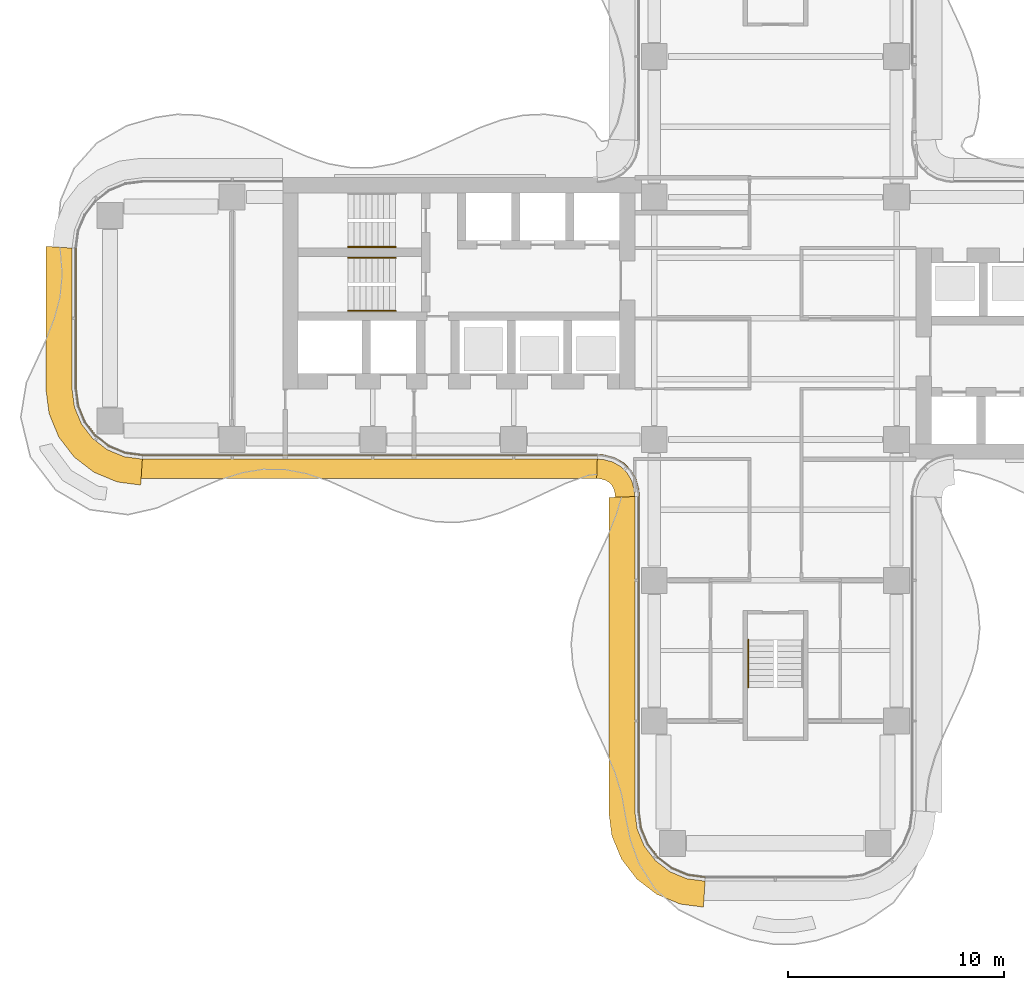
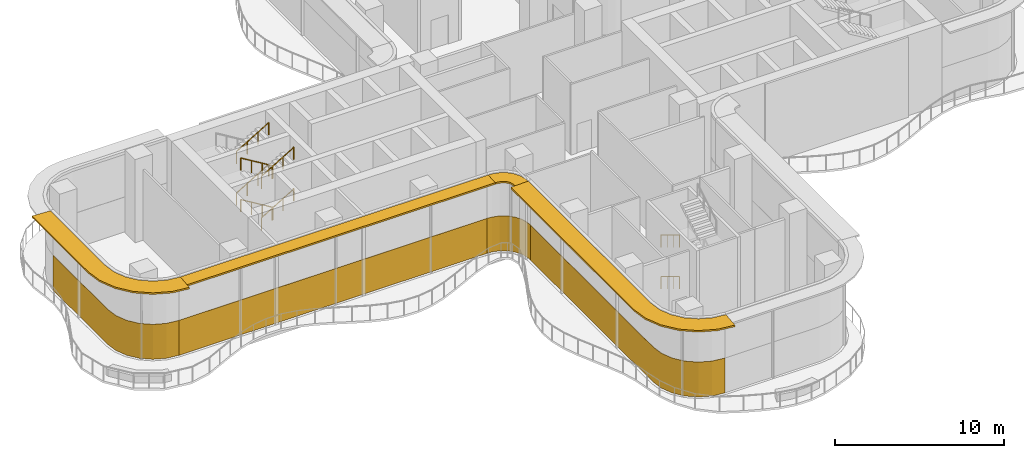
# One storey, part 16 of 19: 8 railings, 4 coverings, 4 shading devices, 4 elements without a shape of their own.
"""IFC4 building model written with IfcOpenShell, lengths in metres."""

from ifc_helpers import new_model, si_unit, direction, frame, origin, origin_2d, place, context, subcontext, project, spatial, polyline, circle, outline, extrude, source, transform, mapped, material, layer, layer_set, type_object, element, aggregate, save


model = new_model("IFC4")

# Units and contexts
model_context = context("Model", 3, precision=1e-05, world=origin(), true_north=direction((0.0, 1.0)))
body_context = subcontext(model_context, "Body", "Model", "MODEL_VIEW")
ifc_project = project(units=[si_unit("LENGTHUNIT", "METRE"), si_unit("AREAUNIT", "SQUARE_METRE"), si_unit("VOLUMEUNIT", "CUBIC_METRE"), si_unit("PLANEANGLEUNIT", "RADIAN"), si_unit("MASSUNIT", "GRAM", prefix="KILO")], contexts=[model_context])

# Site, building, storey
site_placement = place(None, origin())
site = spatial("IfcSite", under=ifc_project, at=site_placement, CompositionType="ELEMENT")
building_placement = place(site_placement, origin())
building = spatial("IfcBuilding", under=site, at=building_placement, Name="Trellis Farm Tower", CompositionType="ELEMENT")
storey_placement = place(building_placement, frame((0.0, 0.0, 156.0)))
storey = spatial("IfcBuildingStorey", under=building, at=storey_placement, Name="L33", CompositionType="ELEMENT", Elevation=156.0)

# Curtain wall, covering
ifc_material_1 = material(Name="Aluminium and glass curtain wall", Category="aluminium")
ifc_layer_1 = layer(ifc_material_1, 0.196044921875)
ifc_layer_set_1 = layer_set([ifc_layer_1], Name="LOUVRED GLASS CURTAIN WALL CW6")
curtain_wall_type = type_object("IfcCurtainWallType", Name="LOUVRED GLASS CURTAIN WALL CW6", PredefinedType="NOTDEFINED", material=ifc_layer_set_1)
placement_1 = place(storey_placement, origin())
curtain_wall_1 = element("IfcCurtainWall", 1, at=placement_1, inside=storey, type_object=curtain_wall_type, Name="CW6 001", PredefinedType="NOTDEFINED")
ifc_material_2 = material(Name="Anodised aluminium louvre", Category="aluminium")
ifc_layer_2 = layer(ifc_material_2, 0.050048828125)
ifc_layer_set_2 = layer_set([ifc_layer_2], Name="CW6 LOUVRE BANK 50")
covering_type = type_object("IfcCoveringType", Name="CW6 LOUVRE BANK 50", PredefinedType="USERDEFINED", material=ifc_layer_set_2)
covering_1 = element("IfcCovering", 2, at=placement_1, type_object=covering_type, Name="LV1 001", ObjectType="LOUVRE", PredefinedType="USERDEFINED", context=body_context, shape_type="SweptSolid", body=[
    extrude(outline(polyline([(-29.239501953125, -6.340087890625), (-8.22607421875, -6.340087890625), (-8.224609375, -6.2900390625), (-29.236328125, -6.2900390625), (-29.239501953125, -6.340087890625)])), origin(), (0.0, 0.0, 1.0), 2.52001953125),
])
aggregate(curtain_wall_1, [covering_1])

curtain_wall_2 = element("IfcCurtainWall", 3, at=placement_1, inside=storey, type_object=curtain_wall_type, Name="CW6 002", PredefinedType="NOTDEFINED")
covering_2 = element("IfcCovering", 4, at=placement_1, type_object=covering_type, Name="LV1 002", ObjectType="LOUVRE", PredefinedType="USERDEFINED", context=body_context, shape_type="SweptSolid", body=[
    extrude(outline(polyline([(-8.22607421875, -6.340087890625), (-8.00390625, -6.3544921875), (-7.88427734375, -6.370361328125), (-7.44677734375, -6.487548828125), (-7.046142578125, -6.718994140625), (-6.718994140625, -7.046142578125), (-6.487548828125, -7.44677734375), (-6.370361328125, -7.88427734375), (-6.3544921875, -8.00390625), (-6.340087890625, -8.22607421875), (-6.2900390625, -8.224609375), (-6.3046875, -7.9990234375), (-6.321044921875, -7.87451171875), (-6.44091796875, -7.427490234375), (-6.678955078125, -7.015380859375), (-7.015380859375, -6.678955078125), (-7.427490234375, -6.44091796875), (-7.87451171875, -6.321044921875), (-7.9990234375, -6.3046875), (-8.224609375, -6.2900390625), (-8.22607421875, -6.340087890625)])), origin(), (0.0, 0.0, 1.0), 2.52001953125),
])
aggregate(curtain_wall_2, [covering_2])

curtain_wall_3 = element("IfcCurtainWall", 5, at=placement_1, inside=storey, type_object=curtain_wall_type, Name="CW6 003", PredefinedType="NOTDEFINED")
covering_3 = element("IfcCovering", 6, at=placement_1, type_object=covering_type, Name="LV1 003", ObjectType="LOUVRE", PredefinedType="USERDEFINED", context=body_context, shape_type="SweptSolid", body=[
    extrude(outline(polyline([(-6.340087890625, -8.22607421875), (-6.340087890625, -22.739501953125), (-6.2333984375, -23.54931640625), (-5.9248046875, -24.294189453125), (-5.43408203125, -24.93408203125), (-4.794189453125, -25.4248046875), (-4.04931640625, -25.7333984375), (-3.239501953125, -25.840087890625), (-3.236328125, -25.7900390625), (-4.036376953125, -25.6845703125), (-4.76904296875, -25.381103515625), (-5.3984375, -24.8984375), (-5.881103515625, -24.26904296875), (-6.1845703125, -23.536376953125), (-6.2900390625, -22.736328125), (-6.2900390625, -8.224609375), (-6.340087890625, -8.22607421875)])), origin(), (0.0, 0.0, 1.0), 2.52001953125),
])
aggregate(curtain_wall_3, [covering_3])

curtain_wall_4 = element("IfcCurtainWall", 7, at=placement_1, inside=storey, type_object=curtain_wall_type, Name="CW6 017", PredefinedType="NOTDEFINED")
covering_4 = element("IfcCovering", 8, at=placement_1, type_object=covering_type, Name="LV1 017", ObjectType="LOUVRE", PredefinedType="USERDEFINED", context=body_context, shape_type="SweptSolid", body=[
    extrude(outline(polyline([(-32.340087890625, 3.239501953125), (-32.340087890625, -3.239501953125), (-32.2333984375, -4.04931640625), (-31.9248046875, -4.794189453125), (-31.43408203125, -5.43408203125), (-30.794189453125, -5.9248046875), (-30.04931640625, -6.2333984375), (-29.239501953125, -6.340087890625), (-29.236328125, -6.2900390625), (-30.036376953125, -6.1845703125), (-30.76904296875, -5.881103515625), (-31.3984375, -5.3984375), (-31.881103515625, -4.76904296875), (-32.1845703125, -4.036376953125), (-32.2900390625, -3.236328125), (-32.2900390625, 3.236328125), (-32.340087890625, 3.239501953125)])), origin(), (0.0, 0.0, 1.0), 2.52001953125),
])
aggregate(curtain_wall_4, [covering_4])

# Railings
ifc_material_3 = material(Name="Stainless steel", Category="steel")
railing_type = type_object("IfcRailingType", Name="STAIR HANDRAIL 900", PredefinedType="HANDRAIL", material=ifc_material_3)
shared_shape_1 = source(origin(), body_context, "Body", "SweptSolid", [
    extrude(circle(Radius=0.02392578125, at=origin_2d()), frame((0.0, 0.0, 0.8759765625), z_axis=(0.0, -0.85520675485, 0.518286992369), x_axis=(1.0, 0.0, 0.0)), (0.0, 0.0, 1.0), 2.572509765625),
    extrude(circle(Radius=0.02099609375, at=origin_2d()), origin(), (0.0, 0.0, 1.0), 0.851806640625),
    extrude(circle(Radius=0.02099609375, at=origin_2d()), frame((0.0, -0.7333984375, 0.4443359375)), (0.0, 0.0, 1.0), 0.851806640625),
    extrude(circle(Radius=0.02099609375, at=origin_2d()), frame((0.0, -1.466552734375, 0.888916015625)), (0.0, 0.0, 1.0), 0.851806640625),
    extrude(circle(Radius=0.02099609375, at=origin_2d()), frame((0.0, -2.199951171875, 1.333251953125)), (0.0, 0.0, 1.0), 0.851806640625),
])
for number, where, name in (
    (9, (-1.25, -14.85009765625, 0.166748046875), "Stair handrail"),
    (10, (-1.25, -14.85009765625, 3.166748046875), "Stair handrail"),
):
    element("IfcRailing", number, at=place(storey_placement, frame(where)), inside=storey, type_object=railing_type, Name=name, PredefinedType="HANDRAIL", context=body_context, shape_type="MappedRepresentation", body=[
        mapped(shared_shape_1, transform((0.0, 0.0, 0.0))),
    ])
shared_shape_2 = source(origin(), body_context, "Body", "SweptSolid", [
    extrude(circle(Radius=0.02392578125, at=origin_2d()), frame((0.0, 0.0, 0.8759765625), z_axis=(0.85520675485, 0.0, 0.518286992369), x_axis=(0.0, 1.0, 0.0)), (0.0, 0.0, 1.0), 2.572509765625),
    extrude(circle(Radius=0.02099609375, at=origin_2d()), origin(), (0.0, 0.0, 1.0), 0.851806640625),
    extrude(circle(Radius=0.02099609375, at=origin_2d()), frame((0.7333984375, 0.0, 0.4443359375)), (0.0, 0.0, 1.0), 0.851806640625),
    extrude(circle(Radius=0.02099609375, at=origin_2d()), frame((1.466552734375, 0.0, 0.888916015625)), (0.0, 0.0, 1.0), 0.851806640625),
    extrude(circle(Radius=0.02099609375, at=origin_2d()), frame((2.199951171875, 0.0, 1.333251953125)), (0.0, 0.0, 1.0), 0.851806640625),
])
for number, where, name in (
    (11, (-19.75, 3.300048828125, 1.666748046875), "Stair handrail"),
    (12, (-19.75, 3.300048828125, 4.666748046875), "Stair handrail"),
    (13, (-19.75, 0.35009765625, 1.666748046875), "Stair handrail"),
    (14, (-19.75, 0.35009765625, 4.666748046875), "Stair handrail"),
):
    element("IfcRailing", number, at=place(storey_placement, frame(where)), inside=storey, type_object=railing_type, Name=name, PredefinedType="HANDRAIL", context=body_context, shape_type="MappedRepresentation", body=[
        mapped(shared_shape_2, transform((0.0, 0.0, 0.0))),
    ])
shared_shape_3 = source(origin(), body_context, "Body", "SweptSolid", [
    extrude(circle(Radius=0.02392578125, at=origin_2d()), frame((0.0, 0.0, 0.8759765625), z_axis=(-0.85520675485, 0.0, 0.518286992369), x_axis=(0.0, -1.0, 0.0)), (0.0, 0.0, 1.0), 2.572509765625),
    extrude(circle(Radius=0.02099609375, at=origin_2d()), origin(), (0.0, 0.0, 1.0), 0.851806640625),
    extrude(circle(Radius=0.02099609375, at=origin_2d()), frame((-0.7333984375, 0.0, 0.4443359375)), (0.0, 0.0, 1.0), 0.851806640625),
    extrude(circle(Radius=0.02099609375, at=origin_2d()), frame((-1.466552734375, 0.0, 0.888916015625)), (0.0, 0.0, 1.0), 0.851806640625),
    extrude(circle(Radius=0.02099609375, at=origin_2d()), frame((-2.199951171875, 0.0, 1.333251953125)), (0.0, 0.0, 1.0), 0.851806640625),
])
for number, where, name in (
    (15, (-17.550048828125, 2.800048828125, 0.166748046875), "Stair handrail"),
    (16, (-17.550048828125, 2.800048828125, 3.166748046875), "Stair handrail"),
):
    element("IfcRailing", number, at=place(storey_placement, frame(where)), inside=storey, type_object=railing_type, Name=name, PredefinedType="HANDRAIL", context=body_context, shape_type="MappedRepresentation", body=[
        mapped(shared_shape_3, transform((0.0, 0.0, 0.0))),
    ])

# Shading devices
ifc_material_4 = material(Name="Aluminium extrusion 6063-T6", Category="aluminium")
ifc_layer_3 = layer(ifc_material_4, 0.1201171875)
ifc_layer_set_3 = layer_set([ifc_layer_3], Name="SUNSHADE BLADE 900")
shading_device_type_1 = type_object("IfcShadingDeviceType", Name="SUNSHADE BLADE 900", PredefinedType="USERDEFINED", material=ifc_layer_set_3)
shared_shape_4 = source(origin(), body_context, "Body", "SweptSolid", [
    extrude(outline(polyline([(-29.30908203125, -7.39990234375), (-8.2607421875, -7.39990234375), (-8.2314453125, -6.5), (-29.25, -6.5), (-29.30908203125, -7.39990234375)])), origin(), (0.0, 0.0, 1.0), 0.1201171875),
])
placement_2 = place(storey_placement, frame((0.0, 0.0, 5.639892578125)))
element("IfcShadingDevice", 17, at=placement_2, inside=storey, type_object=shading_device_type_1, Name="SD1 001", ObjectType="SUNSHADE", PredefinedType="USERDEFINED", context=body_context, shape_type="MappedRepresentation", body=[
    mapped(shared_shape_4, transform((0.0, 0.0, 0.0))),
])
shared_shape_5 = source(origin(), body_context, "Body", "SweptSolid", [
    extrude(outline(polyline([(-8.2607421875, -7.39990234375), (-8.107666015625, -7.409912109375), (-8.091552734375, -7.412109375), (-7.85595703125, -7.475341796875), (-7.697021484375, -7.567138671875), (-7.567138671875, -7.697021484375), (-7.475341796875, -7.85595703125), (-7.412109375, -8.091552734375), (-7.409912109375, -8.107666015625), (-7.39990234375, -8.2607421875), (-6.5, -8.2314453125), (-6.513916015625, -8.01953125), (-6.527587890625, -7.91552734375), (-6.63671875, -7.508544921875), (-6.846923828125, -7.144287109375), (-7.144287109375, -6.846923828125), (-7.508544921875, -6.63671875), (-7.91552734375, -6.527587890625), (-8.01953125, -6.513916015625), (-8.2314453125, -6.5), (-8.2607421875, -7.39990234375)])), origin(), (0.0, 0.0, 1.0), 0.1201171875),
])
element("IfcShadingDevice", 18, at=placement_2, inside=storey, type_object=shading_device_type_1, Name="SD1 002", ObjectType="SUNSHADE", PredefinedType="USERDEFINED", context=body_context, shape_type="MappedRepresentation", body=[
    mapped(shared_shape_5, transform((0.0, 0.0, 0.0))),
])
ifc_layer_4 = layer(ifc_material_4, 0.1201171875)
ifc_layer_set_4 = layer_set([ifc_layer_4], Name="SUNSHADE BLADE 1200")
shading_device_type_2 = type_object("IfcShadingDeviceType", Name="SUNSHADE BLADE 1200", PredefinedType="USERDEFINED", material=ifc_layer_set_4)
shared_shape_6 = source(origin(), body_context, "Body", "SweptSolid", [
    extrude(outline(polyline([(-7.699951171875, -8.270751953125), (-7.699951171875, -22.82861328125), (-7.558349609375, -23.904541015625), (-7.11279296875, -24.980224609375), (-6.404052734375, -25.904052734375), (-5.480224609375, -26.61279296875), (-4.404541015625, -27.058349609375), (-3.32861328125, -27.199951171875), (-3.25, -26.0), (-4.091064453125, -25.88916015625), (-4.875, -25.564697265625), (-5.548095703125, -25.048095703125), (-6.064697265625, -24.375), (-6.38916015625, -23.591064453125), (-6.5, -22.75), (-6.5, -8.2314453125), (-7.699951171875, -8.270751953125)])), origin(), (0.0, 0.0, 1.0), 0.1201171875),
])
element("IfcShadingDevice", 19, at=placement_2, inside=storey, type_object=shading_device_type_2, Name="SD2 003", ObjectType="SUNSHADE", PredefinedType="USERDEFINED", context=body_context, shape_type="MappedRepresentation", body=[
    mapped(shared_shape_6, transform((0.0, 0.0, 0.0))),
])
shared_shape_7 = source(origin(), body_context, "Body", "SweptSolid", [
    extrude(outline(polyline([(-33.699951171875, 3.32861328125), (-33.699951171875, -3.32861328125), (-33.558349609375, -4.404541015625), (-33.11279296875, -5.480224609375), (-32.404052734375, -6.404052734375), (-31.480224609375, -7.11279296875), (-30.404541015625, -7.558349609375), (-29.32861328125, -7.699951171875), (-29.25, -6.5), (-30.091064453125, -6.38916015625), (-30.875, -6.064697265625), (-31.548095703125, -5.548095703125), (-32.064697265625, -4.875), (-32.38916015625, -4.091064453125), (-32.5, -3.25), (-32.5, 3.25), (-33.699951171875, 3.32861328125)])), origin(), (0.0, 0.0, 1.0), 0.1201171875),
])
element("IfcShadingDevice", 20, at=placement_2, inside=storey, type_object=shading_device_type_2, Name="SD2 016", ObjectType="SUNSHADE", PredefinedType="USERDEFINED", context=body_context, shape_type="MappedRepresentation", body=[
    mapped(shared_shape_7, transform((0.0, 0.0, 0.0))),
])

save(model, "model.ifc")
